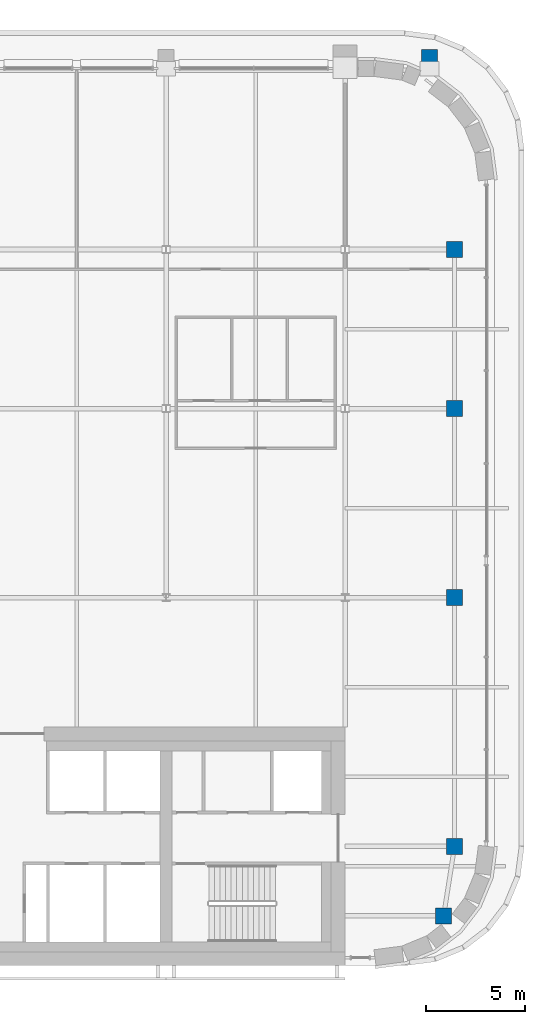
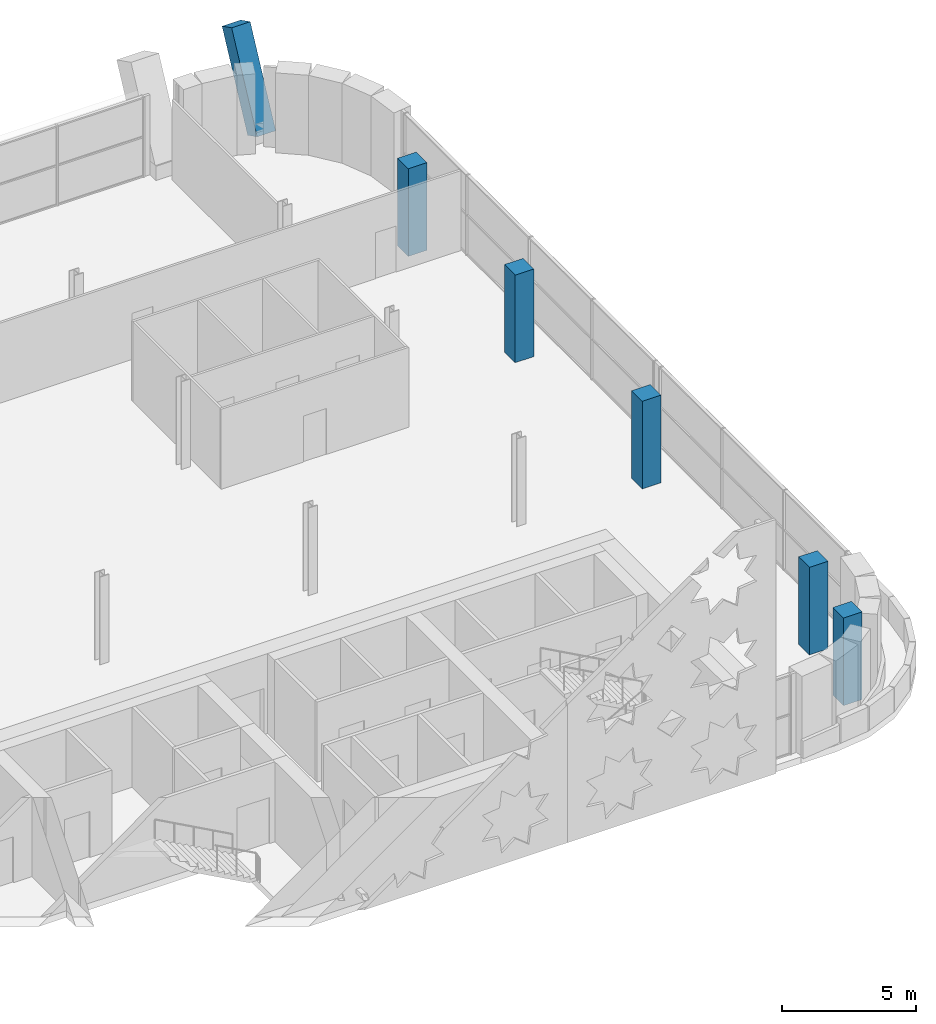
# One storey, part 4 of 25: 6 columns.
"""IFC4 building model written with IfcOpenShell, lengths in metres."""

from ifc_helpers import new_model, si_unit, direction, frame, origin, origin_2d, place, context, subcontext, project, spatial, rectangle, extrude, clip, halfspace, material, material_profile, profile_set, type_object, element, save


model = new_model("IFC4")

# Units and contexts
model_context = context("Model", 3, precision=1e-05, world=origin(), true_north=direction((0.0, 1.0)))
body_context = subcontext(model_context, "Body", "Model", "MODEL_VIEW")
ifc_project = project(units=[si_unit("LENGTHUNIT", "METRE"), si_unit("AREAUNIT", "SQUARE_METRE"), si_unit("VOLUMEUNIT", "CUBIC_METRE"), si_unit("PLANEANGLEUNIT", "RADIAN"), si_unit("MASSUNIT", "GRAM", prefix="KILO")], contexts=[model_context])

# Site, building, storey
site_placement = place(None, origin())
site = spatial("IfcSite", under=ifc_project, at=site_placement, CompositionType="ELEMENT")
building_placement = place(site_placement, origin())
building = spatial("IfcBuilding", under=site, at=building_placement, Name="Zellij Exchange Tower", CompositionType="ELEMENT")
storey_placement = place(building_placement, frame((0.0, 0.0, 264.5)))
storey = spatial("IfcBuildingStorey", under=building, at=storey_placement, Name="L62", CompositionType="ELEMENT", Elevation=264.5)

# Columns
ifc_material = material(Name="Concrete C50/60", Category="concrete")
ifc_material_profile = material_profile(ifc_material, rectangle(XDim=0.800048828125, YDim=0.800048828125, at=origin_2d()), Name="STR-COLUMN RC800x800 C50/60")
ifc_profile_set = profile_set([ifc_material_profile], Name="Concrete C50/60")
column_type = type_object("IfcColumnType", Name="STR-COLUMN RC800x800 C50/60", PredefinedType="COLUMN", material=ifc_profile_set)
for number, where, z_axis, x_axis, name in (
    (1, (31.949951171875, -11.5, 0.0), (0.0, 0.0, 1.0), (1.0, 0.0, 0.0), "C15"),
    (2, (32.5, -8.0, 0.0), (0.0, 0.0, 1.0), (1.0, 0.0, 0.0), "C15"),
    (3, (32.5, 4.5, 0.0), (0.0, 0.0, 1.0), (1.0, 0.0, 0.0), "C15"),
    (4, (32.5, 14.0, 0.0), (0.0, 0.0, 1.0), (1.0, 0.0, 0.0), "C15"),
    (5, (32.5, 22.0, 0.0), (0.0, 0.0, 1.0), (1.0, 0.0, 0.0), "C15"),
):
    element("IfcColumn", number, at=place(storey_placement, frame(where, z_axis=z_axis, x_axis=x_axis)), inside=storey, type_object=column_type, Name=name, PredefinedType="COLUMN", context=body_context, shape_type="SweptSolid", body=[
        extrude(rectangle(XDim=0.800048828125, YDim=0.800048828125, at=origin_2d()), origin(), (0.0, 0.0, 1.0), 4.0),
    ])
column_placement = place(storey_placement, frame((31.25, 31.0, 0.0), z_axis=(0.0, 0.4472135955, 0.894427191), x_axis=(-1.0, 0.0, 0.0)))
element("IfcColumn", 6, at=column_placement, inside=storey, type_object=column_type, Name="C15", PredefinedType="COLUMN", context=body_context, shape_type="Clipping", body=[
    clip(extrude(rectangle(XDim=0.800048828125, YDim=0.800048828125, at=origin_2d()), origin(), (0.0, 0.0, 1.0), 4.47216796875), halfspace(frame((0.0, 0.0, 0.199951171875)), True)),
])

save(model, "model.ifc")
